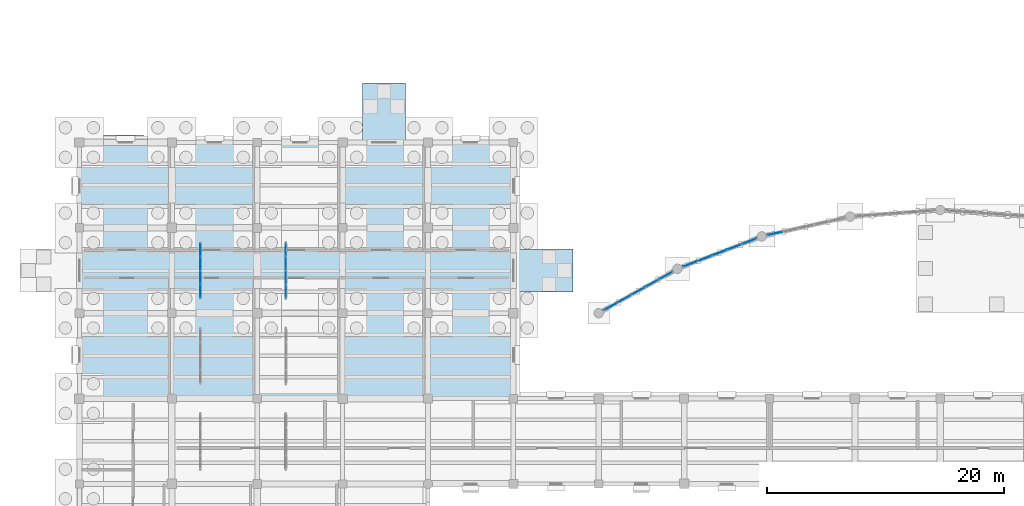
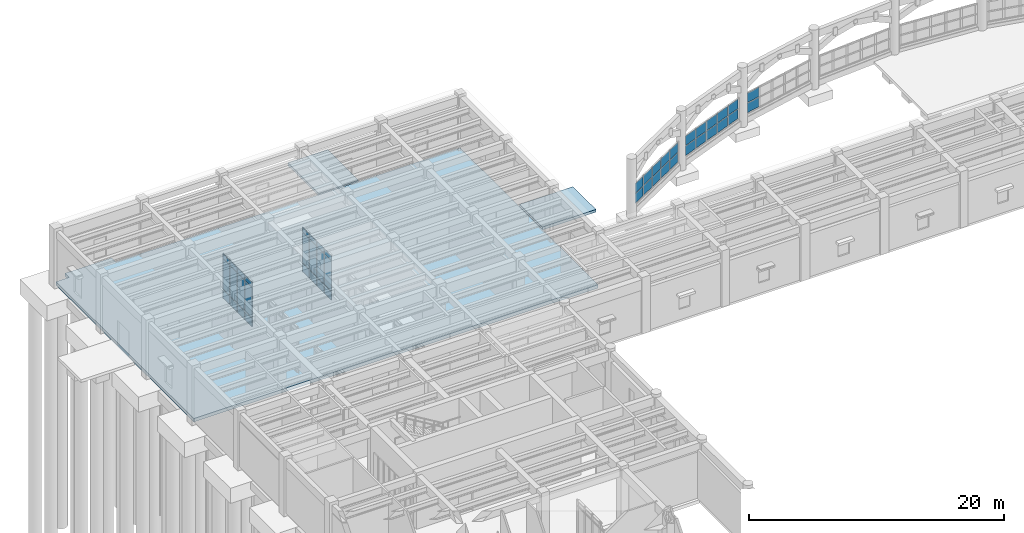
# One storey, part 58 of 100: 46 plates, 3 slabs, 5 elements without a shape of their own.
"""IFC4 building model written with IfcOpenShell, lengths in metres."""

from ifc_helpers import new_model, si_unit, direction, frame, origin, origin_2d, place, context, subcontext, project, spatial, polyline, rectangle, outline, extrude, material, layer, layer_set, type_object, element, aggregate, save


model = new_model("IFC4")

# Units and contexts
model_context = context("Model", 3, precision=1e-05, world=origin(), true_north=direction((0.0, 1.0)))
body_context = subcontext(model_context, "Body", "Model", "MODEL_VIEW")
ifc_project = project(units=[si_unit("LENGTHUNIT", "METRE"), si_unit("AREAUNIT", "SQUARE_METRE"), si_unit("VOLUMEUNIT", "CUBIC_METRE"), si_unit("PLANEANGLEUNIT", "RADIAN"), si_unit("MASSUNIT", "GRAM", prefix="KILO")], contexts=[model_context])

# Site, building, storey
site_placement = place(None, origin())
site = spatial("IfcSite", under=ifc_project, at=site_placement, CompositionType="ELEMENT")
building_placement = place(site_placement, origin())
building = spatial("IfcBuilding", under=site, at=building_placement, Name="Mithqara Police Headquarters", CompositionType="ELEMENT")
storey_placement = place(building_placement, origin())
storey = spatial("IfcBuildingStorey", under=building, at=storey_placement, Name="L00", CompositionType="ELEMENT", Elevation=0.0)

# Curtain wall, plates
ifc_material_1 = material(Name="Bronze anodised aluminium 6063-T6", Category="aluminium")
curtain_wall_type_1 = type_object("IfcCurtainWallType", Name="CURTAIN WALL 6725X2000", PredefinedType="USERDEFINED", material=ifc_material_1)
curtain_wall_1_placement = place(storey_placement, origin())
curtain_wall_1 = element("IfcCurtainWall", 1, at=curtain_wall_1_placement, inside=storey, type_object=curtain_wall_type_1, Name="L00 Unitised Glazing CW-11 (CW-ARC-L00-00-0)", ObjectType="UNITISED GLAZING", PredefinedType="USERDEFINED")
ifc_material_2 = material(Name="Spectrally selective double low-e glass", Category="glass")
ifc_layer_1 = layer(ifc_material_2, 0.028076171875, Name="Spectrally selective double low-e glass")
ifc_layer_set_1 = layer_set([ifc_layer_1], Name="Spectrally selective double low-e glass")
plate_type_1 = type_object("IfcPlateType", Name="CWPANEL GLASS28", PredefinedType="CURTAIN_PANEL", material=ifc_layer_set_1)
plate_1_placement = place(storey_placement, frame((44.79150390625, 93.559326171875, 0.5849609375), z_axis=(0.0, 0.0, 1.0), x_axis=(0.870981567969, 0.491315691036, 0.0)))
plate_1 = element("IfcPlate", 2, at=plate_1_placement, type_object=plate_type_1, Name="CW-11 panel 1.1", PredefinedType="CURTAIN_PANEL", context=body_context, shape_type="SweptSolid", body=[
    extrude(rectangle(XDim=1.247314453125, YDim=0.028076171875, at=origin_2d()), origin(), (0.0, 0.0, 1.0), 0.902587890625),
])
plate_2_placement = place(storey_placement, frame((44.79150390625, 93.559326171875, 1.55224609375), z_axis=(0.0, 0.0, 1.0), x_axis=(0.870981567969, 0.491315691036, 0.0)))
plate_2 = element("IfcPlate", 3, at=plate_2_placement, type_object=plate_type_1, Name="CW-11 panel 1.2", PredefinedType="CURTAIN_PANEL", context=body_context, shape_type="SweptSolid", body=[
    extrude(rectangle(XDim=1.247314453125, YDim=0.028076171875, at=origin_2d()), origin(), (0.0, 0.0, 1.0), 0.902587890625),
])
plate_3_placement = place(storey_placement, frame((45.94873046875, 94.212158203125, 0.5849609375), z_axis=(0.0, 0.0, 1.0), x_axis=(0.870981567969, 0.491315691036, 0.0)))
plate_3 = element("IfcPlate", 4, at=plate_3_placement, type_object=plate_type_1, Name="CW-11 panel 2.1", PredefinedType="CURTAIN_PANEL", context=body_context, shape_type="SweptSolid", body=[
    extrude(rectangle(XDim=1.280029296875, YDim=0.028076171875, at=origin_2d()), origin(), (0.0, 0.0, 1.0), 0.902587890625),
])
plate_4_placement = place(storey_placement, frame((45.94873046875, 94.212158203125, 1.55224609375), z_axis=(0.0, 0.0, 1.0), x_axis=(0.870981567969, 0.491315691036, 0.0)))
plate_4 = element("IfcPlate", 5, at=plate_4_placement, type_object=plate_type_1, Name="CW-11 panel 2.2", PredefinedType="CURTAIN_PANEL", context=body_context, shape_type="SweptSolid", body=[
    extrude(rectangle(XDim=1.280029296875, YDim=0.028076171875, at=origin_2d()), origin(), (0.0, 0.0, 1.0), 0.902587890625),
])
plate_5_placement = place(storey_placement, frame((47.1201171875, 94.872802734375, 0.5849609375), z_axis=(0.0, 0.0, 1.0), x_axis=(0.870981567969, 0.491315691036, 0.0)))
plate_5 = element("IfcPlate", 6, at=plate_5_placement, type_object=plate_type_1, Name="CW-11 panel 3.1", PredefinedType="CURTAIN_PANEL", context=body_context, shape_type="SweptSolid", body=[
    extrude(rectangle(XDim=1.280029296875, YDim=0.028076171875, at=origin_2d()), origin(), (0.0, 0.0, 1.0), 0.902587890625),
])
plate_6_placement = place(storey_placement, frame((47.1201171875, 94.872802734375, 1.55224609375), z_axis=(0.0, 0.0, 1.0), x_axis=(0.870981567969, 0.491315691036, 0.0)))
plate_6 = element("IfcPlate", 7, at=plate_6_placement, type_object=plate_type_1, Name="CW-11 panel 3.2", PredefinedType="CURTAIN_PANEL", context=body_context, shape_type="SweptSolid", body=[
    extrude(rectangle(XDim=1.280029296875, YDim=0.028076171875, at=origin_2d()), origin(), (0.0, 0.0, 1.0), 0.902587890625),
])
plate_7_placement = place(storey_placement, frame((48.29150390625, 95.53369140625, 0.5849609375), z_axis=(0.0, 0.0, 1.0), x_axis=(0.870981567969, 0.491315691036, 0.0)))
plate_7 = element("IfcPlate", 8, at=plate_7_placement, type_object=plate_type_1, Name="CW-11 panel 4.1", PredefinedType="CURTAIN_PANEL", context=body_context, shape_type="SweptSolid", body=[
    extrude(rectangle(XDim=1.280029296875, YDim=0.028076171875, at=origin_2d()), origin(), (0.0, 0.0, 1.0), 0.902587890625),
])
plate_8_placement = place(storey_placement, frame((48.29150390625, 95.53369140625, 1.55224609375), z_axis=(0.0, 0.0, 1.0), x_axis=(0.870981567969, 0.491315691036, 0.0)))
plate_8 = element("IfcPlate", 9, at=plate_8_placement, type_object=plate_type_1, Name="CW-11 panel 4.2", PredefinedType="CURTAIN_PANEL", context=body_context, shape_type="SweptSolid", body=[
    extrude(rectangle(XDim=1.280029296875, YDim=0.028076171875, at=origin_2d()), origin(), (0.0, 0.0, 1.0), 0.902587890625),
])
plate_9_placement = place(storey_placement, frame((49.44873046875, 96.1865234375, 0.5849609375), z_axis=(0.0, 0.0, 1.0), x_axis=(0.870981567969, 0.491315691036, 0.0)))
plate_9 = element("IfcPlate", 10, at=plate_9_placement, type_object=plate_type_1, Name="CW-11 panel 5.1", PredefinedType="CURTAIN_PANEL", context=body_context, shape_type="SweptSolid", body=[
    extrude(rectangle(XDim=1.247314453125, YDim=0.028076171875, at=origin_2d()), origin(), (0.0, 0.0, 1.0), 0.902587890625),
])
plate_10_placement = place(storey_placement, frame((49.44873046875, 96.1865234375, 1.55224609375), z_axis=(0.0, 0.0, 1.0), x_axis=(0.870981567969, 0.491315691036, 0.0)))
plate_10 = element("IfcPlate", 11, at=plate_10_placement, type_object=plate_type_1, Name="CW-11 panel 5.2", PredefinedType="CURTAIN_PANEL", context=body_context, shape_type="SweptSolid", body=[
    extrude(rectangle(XDim=1.247314453125, YDim=0.028076171875, at=origin_2d()), origin(), (0.0, 0.0, 1.0), 0.902587890625),
])
aggregate(curtain_wall_1, [plate_1, plate_2, plate_3, plate_4, plate_5, plate_6, plate_7, plate_8, plate_9, plate_10])

curtain_wall_2_placement = place(storey_placement, origin())
curtain_wall_2 = element("IfcCurtainWall", 12, at=curtain_wall_2_placement, inside=storey, type_object=curtain_wall_type_1, Name="L00 Unitised Glazing CW-11 (CW-ARC-L00-01-0)", ObjectType="UNITISED GLAZING", PredefinedType="USERDEFINED")
plate_11_placement = place(storey_placement, frame((51.502685546875, 97.154052734375, 0.5849609375), z_axis=(0.0, 0.0, 1.0), x_axis=(0.933460537591, 0.358680114811, 0.0)))
plate_11 = element("IfcPlate", 13, at=plate_11_placement, type_object=plate_type_1, Name="CW-11 panel 1.1", PredefinedType="CURTAIN_PANEL", context=body_context, shape_type="SweptSolid", body=[
    extrude(rectangle(XDim=1.247314453125, YDim=0.028076171875, at=origin_2d()), origin(), (0.0, 0.0, 1.0), 0.902587890625),
])
plate_12_placement = place(storey_placement, frame((51.502685546875, 97.154052734375, 1.55224609375), z_axis=(0.0, 0.0, 1.0), x_axis=(0.933460537591, 0.358680114811, 0.0)))
plate_12 = element("IfcPlate", 14, at=plate_12_placement, type_object=plate_type_1, Name="CW-11 panel 1.2", PredefinedType="CURTAIN_PANEL", context=body_context, shape_type="SweptSolid", body=[
    extrude(rectangle(XDim=1.247314453125, YDim=0.028076171875, at=origin_2d()), origin(), (0.0, 0.0, 1.0), 0.902587890625),
])
plate_13_placement = place(storey_placement, frame((52.7431640625, 97.630615234375, 0.5849609375), z_axis=(0.0, 0.0, 1.0), x_axis=(0.933460537591, 0.358680114811, 0.0)))
plate_13 = element("IfcPlate", 15, at=plate_13_placement, type_object=plate_type_1, Name="CW-11 panel 2.1", PredefinedType="CURTAIN_PANEL", context=body_context, shape_type="SweptSolid", body=[
    extrude(rectangle(XDim=1.280029296875, YDim=0.028076171875, at=origin_2d()), origin(), (0.0, 0.0, 1.0), 0.902587890625),
])
plate_14_placement = place(storey_placement, frame((52.7431640625, 97.630615234375, 1.55224609375), z_axis=(0.0, 0.0, 1.0), x_axis=(0.933460537591, 0.358680114811, 0.0)))
plate_14 = element("IfcPlate", 16, at=plate_14_placement, type_object=plate_type_1, Name="CW-11 panel 2.2", PredefinedType="CURTAIN_PANEL", context=body_context, shape_type="SweptSolid", body=[
    extrude(rectangle(XDim=1.280029296875, YDim=0.028076171875, at=origin_2d()), origin(), (0.0, 0.0, 1.0), 0.902587890625),
])
plate_15_placement = place(storey_placement, frame((53.99853515625, 98.113037109375, 0.5849609375), z_axis=(0.0, 0.0, 1.0), x_axis=(0.933460537591, 0.358680114811, 0.0)))
plate_15 = element("IfcPlate", 17, at=plate_15_placement, type_object=plate_type_1, Name="CW-11 panel 3.1", PredefinedType="CURTAIN_PANEL", context=body_context, shape_type="SweptSolid", body=[
    extrude(rectangle(XDim=1.280029296875, YDim=0.028076171875, at=origin_2d()), origin(), (0.0, 0.0, 1.0), 0.902587890625),
])
plate_16_placement = place(storey_placement, frame((53.99853515625, 98.113037109375, 1.55224609375), z_axis=(0.0, 0.0, 1.0), x_axis=(0.933460537591, 0.358680114811, 0.0)))
plate_16 = element("IfcPlate", 18, at=plate_16_placement, type_object=plate_type_1, Name="CW-11 panel 3.2", PredefinedType="CURTAIN_PANEL", context=body_context, shape_type="SweptSolid", body=[
    extrude(rectangle(XDim=1.280029296875, YDim=0.028076171875, at=origin_2d()), origin(), (0.0, 0.0, 1.0), 0.902587890625),
])
plate_17_placement = place(storey_placement, frame((55.25390625, 98.595458984375, 0.5849609375), z_axis=(0.0, 0.0, 1.0), x_axis=(0.933460537591, 0.358680114811, 0.0)))
plate_17 = element("IfcPlate", 19, at=plate_17_placement, type_object=plate_type_1, Name="CW-11 panel 4.1", PredefinedType="CURTAIN_PANEL", context=body_context, shape_type="SweptSolid", body=[
    extrude(rectangle(XDim=1.280029296875, YDim=0.028076171875, at=origin_2d()), origin(), (0.0, 0.0, 1.0), 0.902587890625),
])
plate_18_placement = place(storey_placement, frame((55.25390625, 98.595458984375, 1.55224609375), z_axis=(0.0, 0.0, 1.0), x_axis=(0.933460537591, 0.358680114811, 0.0)))
plate_18 = element("IfcPlate", 20, at=plate_18_placement, type_object=plate_type_1, Name="CW-11 panel 4.2", PredefinedType="CURTAIN_PANEL", context=body_context, shape_type="SweptSolid", body=[
    extrude(rectangle(XDim=1.280029296875, YDim=0.028076171875, at=origin_2d()), origin(), (0.0, 0.0, 1.0), 0.902587890625),
])
plate_19_placement = place(storey_placement, frame((56.494140625, 99.072021484375, 0.5849609375), z_axis=(0.0, 0.0, 1.0), x_axis=(0.933460537591, 0.358680114811, 0.0)))
plate_19 = element("IfcPlate", 21, at=plate_19_placement, type_object=plate_type_1, Name="CW-11 panel 5.1", PredefinedType="CURTAIN_PANEL", context=body_context, shape_type="SweptSolid", body=[
    extrude(rectangle(XDim=1.247314453125, YDim=0.028076171875, at=origin_2d()), origin(), (0.0, 0.0, 1.0), 0.902587890625),
])
plate_20_placement = place(storey_placement, frame((56.494140625, 99.072021484375, 1.55224609375), z_axis=(0.0, 0.0, 1.0), x_axis=(0.933460537591, 0.358680114811, 0.0)))
plate_20 = element("IfcPlate", 22, at=plate_20_placement, type_object=plate_type_1, Name="CW-11 panel 5.2", PredefinedType="CURTAIN_PANEL", context=body_context, shape_type="SweptSolid", body=[
    extrude(rectangle(XDim=1.247314453125, YDim=0.028076171875, at=origin_2d()), origin(), (0.0, 0.0, 1.0), 0.902587890625),
])
aggregate(curtain_wall_2, [plate_11, plate_12, plate_13, plate_14, plate_15, plate_16, plate_17, plate_18, plate_19, plate_20])

curtain_wall_3_placement = place(storey_placement, origin())
curtain_wall_3 = element("IfcCurtainWall", 23, at=curtain_wall_3_placement, inside=storey, type_object=curtain_wall_type_1, Name="L00 Unitised Glazing CW-11 (CW-ARC-L00-02-0)", ObjectType="UNITISED GLAZING", PredefinedType="USERDEFINED")
plate_21_placement = place(storey_placement, frame((58.667724609375, 99.728759765625, 0.5849609375), z_axis=(0.0, 0.0, 1.0), x_axis=(0.975873935567, 0.218334747306, 0.0)))
plate_21 = element("IfcPlate", 24, at=plate_21_placement, type_object=plate_type_1, Name="CW-11 panel 1.1", PredefinedType="CURTAIN_PANEL", context=body_context, shape_type="SweptSolid", body=[
    extrude(rectangle(XDim=1.247314453125, YDim=0.028076171875, at=origin_2d()), origin(), (0.0, 0.0, 1.0), 0.902587890625),
])
plate_22_placement = place(storey_placement, frame((58.667724609375, 99.728759765625, 1.55224609375), z_axis=(0.0, 0.0, 1.0), x_axis=(0.975873935567, 0.218334747306, 0.0)))
plate_22 = element("IfcPlate", 25, at=plate_22_placement, type_object=plate_type_1, Name="CW-11 panel 1.2", PredefinedType="CURTAIN_PANEL", context=body_context, shape_type="SweptSolid", body=[
    extrude(rectangle(XDim=1.247314453125, YDim=0.028076171875, at=origin_2d()), origin(), (0.0, 0.0, 1.0), 0.902587890625),
])
aggregate(curtain_wall_3, [plate_21, plate_22])

curtain_wall_type_2 = type_object("IfcCurtainWallType", Name="CURTAIN WALL 4700X4400", PredefinedType="USERDEFINED", material=ifc_material_1)
curtain_wall_4_placement = place(storey_placement, origin())
curtain_wall_4 = element("IfcCurtainWall", 26, at=curtain_wall_4_placement, inside=storey, type_object=curtain_wall_type_2, Name="L00 Unitised Glazing CW-14 (CW-INT-L00-X02-Y13-0)", ObjectType="UNITISED GLAZING", PredefinedType="USERDEFINED")
plate_23_placement = place(storey_placement, frame((17.39990234375, 94.856201171875, 0.074951171875), z_axis=(0.0, 0.0, 1.0), x_axis=(0.0, 1.0, 0.0)))
plate_23 = element("IfcPlate", 27, at=plate_23_placement, type_object=plate_type_1, Name="CW-14 panel 1.1", PredefinedType="CURTAIN_PANEL", context=body_context, shape_type="SweptSolid", body=[
    extrude(rectangle(XDim=1.0625, YDim=0.028076171875, at=origin_2d()), origin(), (0.0, 0.0, 1.0), 0.78759765625),
])
plate_24_placement = place(storey_placement, frame((17.39990234375, 94.856201171875, 0.9375), z_axis=(0.0, 0.0, 1.0), x_axis=(0.0, 1.0, 0.0)))
plate_24 = element("IfcPlate", 28, at=plate_24_placement, type_object=plate_type_1, Name="CW-14 panel 1.2", PredefinedType="CURTAIN_PANEL", context=body_context, shape_type="SweptSolid", body=[
    extrude(rectangle(XDim=1.0625, YDim=0.028076171875, at=origin_2d()), origin(), (0.0, 0.0, 1.0), 2.875),
])
plate_25_placement = place(storey_placement, frame((17.39990234375, 94.856201171875, 3.887451171875), z_axis=(0.0, 0.0, 1.0), x_axis=(0.0, 1.0, 0.0)))
plate_25 = element("IfcPlate", 29, at=plate_25_placement, type_object=plate_type_1, Name="CW-14 panel 1.3", PredefinedType="CURTAIN_PANEL", context=body_context, shape_type="SweptSolid", body=[
    extrude(rectangle(XDim=1.0625, YDim=0.028076171875, at=origin_2d()), origin(), (0.0, 0.0, 1.0), 0.4375),
])
plate_26_placement = place(storey_placement, frame((17.39990234375, 96.012451171875, 0.074951171875), z_axis=(0.0, 0.0, 1.0), x_axis=(0.0, 1.0, 0.0)))
plate_26 = element("IfcPlate", 30, at=plate_26_placement, type_object=plate_type_1, Name="CW-14 panel 2.1", PredefinedType="CURTAIN_PANEL", context=body_context, shape_type="SweptSolid", body=[
    extrude(rectangle(XDim=1.10009765625, YDim=0.028076171875, at=origin_2d()), origin(), (0.0, 0.0, 1.0), 0.78759765625),
])
plate_27_placement = place(storey_placement, frame((17.39990234375, 96.012451171875, 0.9375), z_axis=(0.0, 0.0, 1.0), x_axis=(0.0, 1.0, 0.0)))
plate_27 = element("IfcPlate", 31, at=plate_27_placement, type_object=plate_type_1, Name="CW-14 panel 2.2", PredefinedType="CURTAIN_PANEL", context=body_context, shape_type="SweptSolid", body=[
    extrude(rectangle(XDim=1.10009765625, YDim=0.028076171875, at=origin_2d()), origin(), (0.0, 0.0, 1.0), 2.875),
])
plate_28_placement = place(storey_placement, frame((17.39990234375, 96.012451171875, 3.887451171875), z_axis=(0.0, 0.0, 1.0), x_axis=(0.0, 1.0, 0.0)))
plate_28 = element("IfcPlate", 32, at=plate_28_placement, type_object=plate_type_1, Name="CW-14 panel 2.3", PredefinedType="CURTAIN_PANEL", context=body_context, shape_type="SweptSolid", body=[
    extrude(rectangle(XDim=1.10009765625, YDim=0.028076171875, at=origin_2d()), origin(), (0.0, 0.0, 1.0), 0.4375),
])
plate_29_placement = place(storey_placement, frame((17.39990234375, 97.1875, 0.074951171875), z_axis=(0.0, 0.0, 1.0), x_axis=(0.0, 1.0, 0.0)))
plate_29 = element("IfcPlate", 33, at=plate_29_placement, type_object=plate_type_1, Name="CW-14 panel 3.1", PredefinedType="CURTAIN_PANEL", context=body_context, shape_type="SweptSolid", body=[
    extrude(rectangle(XDim=1.10009765625, YDim=0.028076171875, at=origin_2d()), origin(), (0.0, 0.0, 1.0), 0.78759765625),
])
plate_30_placement = place(storey_placement, frame((17.39990234375, 97.1875, 0.9375), z_axis=(0.0, 0.0, 1.0), x_axis=(0.0, 1.0, 0.0)))
plate_30 = element("IfcPlate", 34, at=plate_30_placement, type_object=plate_type_1, Name="CW-14 panel 3.2", PredefinedType="CURTAIN_PANEL", context=body_context, shape_type="SweptSolid", body=[
    extrude(rectangle(XDim=1.10009765625, YDim=0.028076171875, at=origin_2d()), origin(), (0.0, 0.0, 1.0), 2.875),
])
plate_31_placement = place(storey_placement, frame((17.39990234375, 97.1875, 3.887451171875), z_axis=(0.0, 0.0, 1.0), x_axis=(0.0, 1.0, 0.0)))
plate_31 = element("IfcPlate", 35, at=plate_31_placement, type_object=plate_type_1, Name="CW-14 panel 3.3", PredefinedType="CURTAIN_PANEL", context=body_context, shape_type="SweptSolid", body=[
    extrude(rectangle(XDim=1.10009765625, YDim=0.028076171875, at=origin_2d()), origin(), (0.0, 0.0, 1.0), 0.4375),
])
plate_32_placement = place(storey_placement, frame((17.39990234375, 98.34375, 0.074951171875), z_axis=(0.0, 0.0, 1.0), x_axis=(0.0, 1.0, 0.0)))
plate_32 = element("IfcPlate", 36, at=plate_32_placement, type_object=plate_type_1, Name="CW-14 panel 4.1", PredefinedType="CURTAIN_PANEL", context=body_context, shape_type="SweptSolid", body=[
    extrude(rectangle(XDim=1.0625, YDim=0.028076171875, at=origin_2d()), origin(), (0.0, 0.0, 1.0), 0.78759765625),
])
plate_33_placement = place(storey_placement, frame((17.39990234375, 98.34375, 0.9375), z_axis=(0.0, 0.0, 1.0), x_axis=(0.0, 1.0, 0.0)))
plate_33 = element("IfcPlate", 37, at=plate_33_placement, type_object=plate_type_1, Name="CW-14 panel 4.2", PredefinedType="CURTAIN_PANEL", context=body_context, shape_type="SweptSolid", body=[
    extrude(rectangle(XDim=1.0625, YDim=0.028076171875, at=origin_2d()), origin(), (0.0, 0.0, 1.0), 2.875),
])
plate_34_placement = place(storey_placement, frame((17.39990234375, 98.34375, 3.887451171875), z_axis=(0.0, 0.0, 1.0), x_axis=(0.0, 1.0, 0.0)))
plate_34 = element("IfcPlate", 38, at=plate_34_placement, type_object=plate_type_1, Name="CW-14 panel 4.3", PredefinedType="CURTAIN_PANEL", context=body_context, shape_type="SweptSolid", body=[
    extrude(rectangle(XDim=1.0625, YDim=0.028076171875, at=origin_2d()), origin(), (0.0, 0.0, 1.0), 0.4375),
])
aggregate(curtain_wall_4, [plate_23, plate_24, plate_25, plate_26, plate_27, plate_28, plate_29, plate_30, plate_31, plate_32, plate_33, plate_34])

curtain_wall_5_placement = place(storey_placement, origin())
curtain_wall_5 = element("IfcCurtainWall", 39, at=curtain_wall_5_placement, inside=storey, type_object=curtain_wall_type_2, Name="L00 Unitised Glazing CW-14 (CW-INT-L00-X01-Y13-0)", ObjectType="UNITISED GLAZING", PredefinedType="USERDEFINED")
ifc_material_3 = material(Name="Insulated bronze aluminium spandrel panel", Category="aluminium")
ifc_layer_2 = layer(ifc_material_3, 0.048095703125, Name="Insulated bronze aluminium spandrel panel")
ifc_layer_set_2 = layer_set([ifc_layer_2], Name="Insulated bronze aluminium spandrel panel")
plate_type_2 = type_object("IfcPlateType", Name="CWPANEL SPANDREL48", PredefinedType="CURTAIN_PANEL", material=ifc_layer_set_2)
plate_35_placement = place(storey_placement, frame((10.199951171875, 94.856201171875, 0.074951171875), z_axis=(0.0, 0.0, 1.0), x_axis=(0.0, 1.0, 0.0)))
plate_35 = element("IfcPlate", 40, at=plate_35_placement, type_object=plate_type_2, Name="CW-14 panel 1.1", PredefinedType="CURTAIN_PANEL", context=body_context, shape_type="SweptSolid", body=[
    extrude(rectangle(XDim=1.0625, YDim=0.048095703125, at=origin_2d()), origin(), (0.0, 0.0, 1.0), 0.78759765625),
])
plate_36_placement = place(storey_placement, frame((10.199951171875, 94.856201171875, 0.9375), z_axis=(0.0, 0.0, 1.0), x_axis=(0.0, 1.0, 0.0)))
plate_36 = element("IfcPlate", 41, at=plate_36_placement, type_object=plate_type_2, Name="CW-14 panel 1.2", PredefinedType="CURTAIN_PANEL", context=body_context, shape_type="SweptSolid", body=[
    extrude(rectangle(XDim=1.0625, YDim=0.048095703125, at=origin_2d()), origin(), (0.0, 0.0, 1.0), 2.875),
])
plate_37_placement = place(storey_placement, frame((10.199951171875, 94.856201171875, 3.887451171875), z_axis=(0.0, 0.0, 1.0), x_axis=(0.0, 1.0, 0.0)))
plate_37 = element("IfcPlate", 42, at=plate_37_placement, type_object=plate_type_2, Name="CW-14 panel 1.3", PredefinedType="CURTAIN_PANEL", context=body_context, shape_type="SweptSolid", body=[
    extrude(rectangle(XDim=1.0625, YDim=0.048095703125, at=origin_2d()), origin(), (0.0, 0.0, 1.0), 0.4375),
])
plate_38_placement = place(storey_placement, frame((10.199951171875, 96.012451171875, 0.074951171875), z_axis=(0.0, 0.0, 1.0), x_axis=(0.0, 1.0, 0.0)))
plate_38 = element("IfcPlate", 43, at=plate_38_placement, type_object=plate_type_2, Name="CW-14 panel 2.1", PredefinedType="CURTAIN_PANEL", context=body_context, shape_type="SweptSolid", body=[
    extrude(rectangle(XDim=1.10009765625, YDim=0.048095703125, at=origin_2d()), origin(), (0.0, 0.0, 1.0), 0.78759765625),
])
plate_39_placement = place(storey_placement, frame((10.199951171875, 96.012451171875, 0.9375), z_axis=(0.0, 0.0, 1.0), x_axis=(0.0, 1.0, 0.0)))
plate_39 = element("IfcPlate", 44, at=plate_39_placement, type_object=plate_type_2, Name="CW-14 panel 2.2", PredefinedType="CURTAIN_PANEL", context=body_context, shape_type="SweptSolid", body=[
    extrude(rectangle(XDim=1.10009765625, YDim=0.048095703125, at=origin_2d()), origin(), (0.0, 0.0, 1.0), 2.875),
])
plate_40_placement = place(storey_placement, frame((10.199951171875, 96.012451171875, 3.887451171875), z_axis=(0.0, 0.0, 1.0), x_axis=(0.0, 1.0, 0.0)))
plate_40 = element("IfcPlate", 45, at=plate_40_placement, type_object=plate_type_2, Name="CW-14 panel 2.3", PredefinedType="CURTAIN_PANEL", context=body_context, shape_type="SweptSolid", body=[
    extrude(rectangle(XDim=1.10009765625, YDim=0.048095703125, at=origin_2d()), origin(), (0.0, 0.0, 1.0), 0.4375),
])
plate_41_placement = place(storey_placement, frame((10.199951171875, 97.1875, 0.074951171875), z_axis=(0.0, 0.0, 1.0), x_axis=(0.0, 1.0, 0.0)))
plate_41 = element("IfcPlate", 46, at=plate_41_placement, type_object=plate_type_2, Name="CW-14 panel 3.1", PredefinedType="CURTAIN_PANEL", context=body_context, shape_type="SweptSolid", body=[
    extrude(rectangle(XDim=1.10009765625, YDim=0.048095703125, at=origin_2d()), origin(), (0.0, 0.0, 1.0), 0.78759765625),
])
plate_42_placement = place(storey_placement, frame((10.199951171875, 97.1875, 0.9375), z_axis=(0.0, 0.0, 1.0), x_axis=(0.0, 1.0, 0.0)))
plate_42 = element("IfcPlate", 47, at=plate_42_placement, type_object=plate_type_2, Name="CW-14 panel 3.2", PredefinedType="CURTAIN_PANEL", context=body_context, shape_type="SweptSolid", body=[
    extrude(rectangle(XDim=1.10009765625, YDim=0.048095703125, at=origin_2d()), origin(), (0.0, 0.0, 1.0), 2.875),
])
plate_43_placement = place(storey_placement, frame((10.199951171875, 97.1875, 3.887451171875), z_axis=(0.0, 0.0, 1.0), x_axis=(0.0, 1.0, 0.0)))
plate_43 = element("IfcPlate", 48, at=plate_43_placement, type_object=plate_type_2, Name="CW-14 panel 3.3", PredefinedType="CURTAIN_PANEL", context=body_context, shape_type="SweptSolid", body=[
    extrude(rectangle(XDim=1.10009765625, YDim=0.048095703125, at=origin_2d()), origin(), (0.0, 0.0, 1.0), 0.4375),
])
plate_44_placement = place(storey_placement, frame((10.199951171875, 98.34375, 0.074951171875), z_axis=(0.0, 0.0, 1.0), x_axis=(0.0, 1.0, 0.0)))
plate_44 = element("IfcPlate", 49, at=plate_44_placement, type_object=plate_type_2, Name="CW-14 panel 4.1", PredefinedType="CURTAIN_PANEL", context=body_context, shape_type="SweptSolid", body=[
    extrude(rectangle(XDim=1.0625, YDim=0.048095703125, at=origin_2d()), origin(), (0.0, 0.0, 1.0), 0.78759765625),
])
plate_45_placement = place(storey_placement, frame((10.199951171875, 98.34375, 0.9375), z_axis=(0.0, 0.0, 1.0), x_axis=(0.0, 1.0, 0.0)))
plate_45 = element("IfcPlate", 50, at=plate_45_placement, type_object=plate_type_2, Name="CW-14 panel 4.2", PredefinedType="CURTAIN_PANEL", context=body_context, shape_type="SweptSolid", body=[
    extrude(rectangle(XDim=1.0625, YDim=0.048095703125, at=origin_2d()), origin(), (0.0, 0.0, 1.0), 2.875),
])
plate_46_placement = place(storey_placement, frame((10.199951171875, 98.34375, 3.887451171875), z_axis=(0.0, 0.0, 1.0), x_axis=(0.0, 1.0, 0.0)))
plate_46 = element("IfcPlate", 51, at=plate_46_placement, type_object=plate_type_2, Name="CW-14 panel 4.3", PredefinedType="CURTAIN_PANEL", context=body_context, shape_type="SweptSolid", body=[
    extrude(rectangle(XDim=1.0625, YDim=0.048095703125, at=origin_2d()), origin(), (0.0, 0.0, 1.0), 0.4375),
])
aggregate(curtain_wall_5, [plate_35, plate_36, plate_37, plate_38, plate_39, plate_40, plate_41, plate_42, plate_43, plate_44, plate_45, plate_46])

# Slabs
ifc_material_4 = material(Name="Concrete C40/50", Category="concrete")
ifc_layer_3 = layer(ifc_material_4, 0.320068359375, Name="Concrete C40/50")
ifc_layer_set_3 = layer_set([ifc_layer_3], Name="Concrete C40/50")
slab_type_1 = type_object("IfcSlabType", Name="FLOOR SLAB 320", PredefinedType="FLOOR", material=ifc_layer_set_3)
slab_1_placement = place(storey_placement, frame((0.0, 0.0, -0.320068359375)))
element("IfcSlab", 52, at=slab_1_placement, inside=storey, type_object=slab_type_1, Name="L00 Structural Slab L00-V4", PredefinedType="FLOOR", context=body_context, shape_type="SweptSolid", body=[
    extrude(outline(polyline([(0.0, 107.39990234375), (1.199951171875, 107.39990234375), (1.199951171875, 108.050048828125), (5.39990234375, 108.050048828125), (5.39990234375, 107.39990234375), (36.60009765625, 107.39990234375), (36.60009765625, 85.800048828125), (0.0, 85.800048828125), (0.0, 107.39990234375)])), origin(), (0.0, 0.0, 1.0), 0.320068359375),
])
ifc_layer_4 = layer(ifc_material_4, 0.260009765625, Name="Concrete C40/50")
ifc_layer_set_4 = layer_set([ifc_layer_4], Name="Concrete C40/50")
slab_type_2 = type_object("IfcSlabType", Name="PAVING SLAB 260", PredefinedType="FLOOR", material=ifc_layer_set_4)
slab_2_placement = place(storey_placement, frame((0.0, 0.0, -0.260009765625)))
element("IfcSlab", 53, at=slab_2_placement, inside=storey, type_object=slab_type_2, Name="Ground Exit Threshold Apron 6", PredefinedType="FLOOR", context=body_context, shape_type="SweptSolid", body=[
    extrude(outline(polyline([(36.760009765625, 98.39990234375), (41.610107421875, 98.39990234375), (41.610107421875, 94.800048828125), (36.760009765625, 94.800048828125), (36.760009765625, 98.39990234375)])), origin(), (0.0, 0.0, 1.0), 0.260009765625),
])
slab_3_placement = place(storey_placement, frame((0.0, 0.0, -0.260009765625)))
element("IfcSlab", 54, at=slab_3_placement, inside=storey, type_object=slab_type_2, Name="Ground Exit Threshold Apron 7", PredefinedType="FLOOR", context=body_context, shape_type="SweptSolid", body=[
    extrude(outline(polyline([(23.884033203125, 107.56005859375), (23.884033203125, 112.409912109375), (27.48388671875, 112.409912109375), (27.48388671875, 107.56005859375), (23.884033203125, 107.56005859375)])), origin(), (0.0, 0.0, 1.0), 0.260009765625),
])

save(model, "model.ifc")
